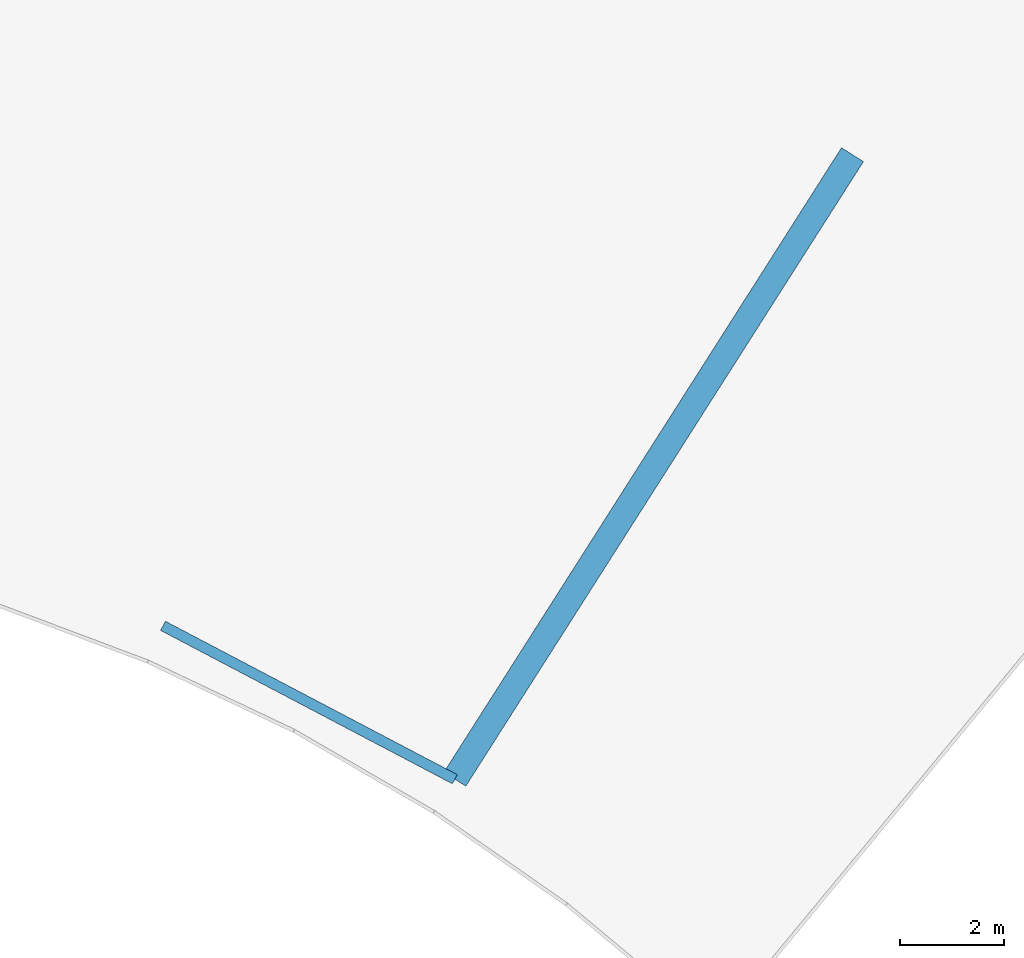
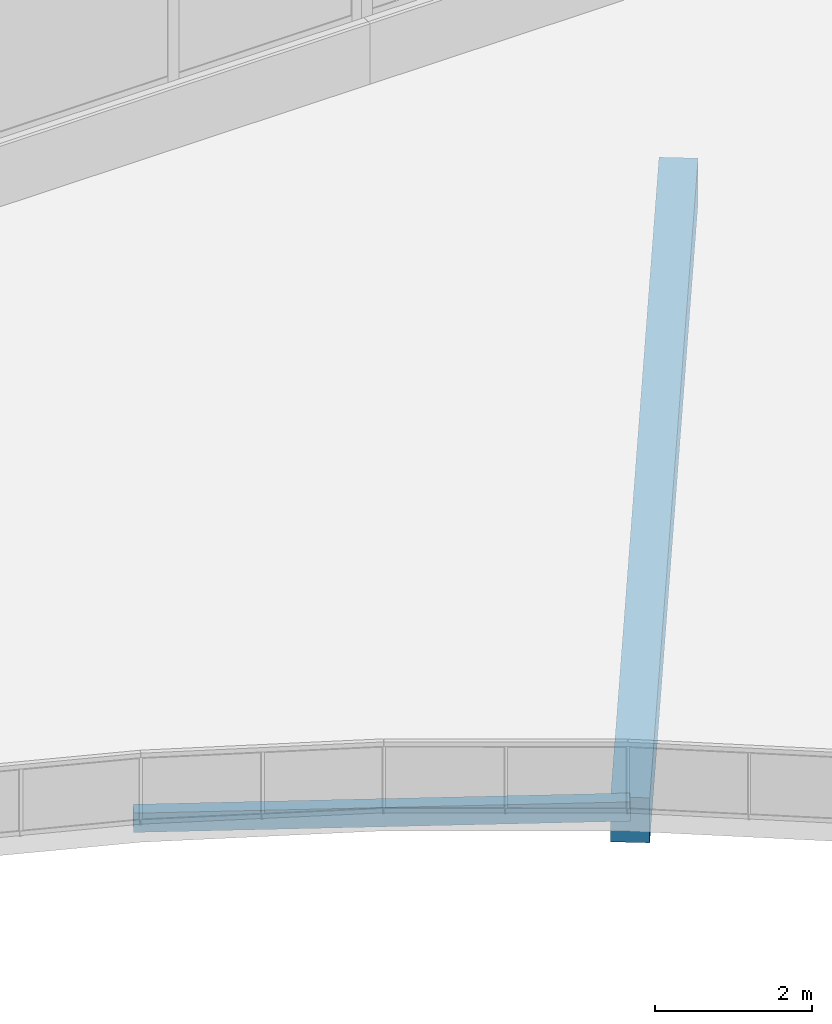
# One storey, part 54 of 101: 2 beams.
"""IFC4 building model written with IfcOpenShell, lengths in metres."""

import ifcopenshell
import ifcopenshell.guid

model = None  # the IFC model being written
_history = None  # IfcOwnerHistory: only IFC2X3 demands one
_inside = {}  # id of a spatial element -> (the spatial element, [elements in it])
_under = {}  # id of a project, library or spatial element -> (it, [spatial elements below it])
_declared = {}  # id of a project -> (the project, [libraries it declares])
_typed = {}  # id of a type object -> (the type object, [elements of that type])
_made_of = {}  # id of a material, layer set ... -> (it, [elements and type objects made of it])


def new_model(schema):
    """Start an empty IFC model of exactly this schema.

    Asked for "IFC4X3", IfcOpenShell would pick the latest addendum, in which some entities
    have other attributes; the version numbers below select the first issue.
    IFC2X3 requires an IfcOwnerHistory on every rooted entity: one is made here for all.
    """
    global model, _history
    if schema == "IFC4X3":
        model = ifcopenshell.file(schema_version=(4, 3, 0, 0))
    else:
        model = ifcopenshell.file(schema=schema)
    _inside.clear()
    _under.clear()
    _declared.clear()
    _typed.clear()
    _made_of.clear()
    _history = None
    if model.schema == "IFC2X3":
        org = make("IfcOrganization", Name="unknown")
        user = make(
            "IfcPersonAndOrganization",
            ThePerson=make("IfcPerson", FamilyName="unknown"),
            TheOrganization=org,
        )
        app = make(
            "IfcApplication",
            ApplicationDeveloper=org,
            Version="unknown",
            ApplicationFullName="unknown",
            ApplicationIdentifier="unknown",
        )
        _history = make(
            "IfcOwnerHistory",
            OwningUser=user,
            OwningApplication=app,
            ChangeAction="ADDED",
            CreationDate=0,
        )
    return model


def make(cls, **values):
    """One entity of the class cls with the attributes given. An attribute that is None is left unset."""
    return model.create_entity(
        cls, **{name: value for name, value in values.items() if value is not None}
    )


def rooted(cls, **values):
    """An entity with a GlobalId (a new one), such as an element, a storey or a relation."""
    return make(cls, GlobalId=ifcopenshell.guid.new(), OwnerHistory=_history, **values)


def si_unit(unit_type, name, prefix=None):
    """IfcSIUnit, for example si_unit("LENGTHUNIT", "METRE", prefix="MILLI")."""
    return make("IfcSIUnit", UnitType=unit_type, Prefix=prefix, Name=name)


def assignment(units):
    """IfcUnitAssignment: the units of a project."""
    return None if units is None else make("IfcUnitAssignment", Units=units)


def point(xyz):
    """IfcCartesianPoint."""
    return None if xyz is None else make("IfcCartesianPoint", Coordinates=xyz)


def direction(xyz):
    """IfcDirection."""
    return None if xyz is None else make("IfcDirection", DirectionRatios=xyz)


def frame(location, z_axis=None, x_axis=None):
    """IfcAxis2Placement3D, a coordinate frame: its origin and axes. An axis left out is left unset."""
    return make(
        "IfcAxis2Placement3D",
        Location=point(location),
        Axis=direction(z_axis),
        RefDirection=direction(x_axis),
    )


def frame_2d(location, x_axis=None):
    """IfcAxis2Placement2D, a coordinate frame in the plane: its origin and x axis."""
    return make(
        "IfcAxis2Placement2D", Location=point(location), RefDirection=direction(x_axis)
    )


def origin():
    """The frame at (0, 0, 0) with its axes left unset."""
    return frame((0.0, 0.0, 0.0))


def origin_2d():
    """The frame at (0, 0) in the plane with its x axis left unset."""
    return frame_2d((0.0, 0.0))


def place(relative_to, where):
    """IfcLocalPlacement: puts the frame where relative to a parent placement (None: the world)."""
    return make(
        "IfcLocalPlacement", PlacementRelTo=relative_to, RelativePlacement=where
    )


def context(
    kind, dimensions, precision=None, world=None, true_north=None, identifier=None
):
    """IfcGeometricRepresentationContext, for example the 3D "Model" context."""
    return make(
        "IfcGeometricRepresentationContext",
        ContextIdentifier=identifier,
        ContextType=kind,
        CoordinateSpaceDimension=dimensions,
        Precision=precision,
        WorldCoordinateSystem=world,
        TrueNorth=true_north,
    )


def subcontext(parent, identifier, kind, view, scale=None):
    """IfcGeometricRepresentationSubContext, for example "Body" below "Model"."""
    return make(
        "IfcGeometricRepresentationSubContext",
        ContextIdentifier=identifier,
        ContextType=kind,
        ParentContext=parent,
        TargetScale=scale,
        TargetView=view,
    )


def project(units=None, contexts=None):
    """IfcProject with its units and contexts."""
    return rooted(
        "IfcProject",
        Name="project",
        RepresentationContexts=contexts,
        UnitsInContext=assignment(units),
    )


def spatial(cls, under=None, at=None, **own):
    """A site, building, storey or space (cls), placed at a placement, below another one or the project."""
    s = rooted(cls, ObjectPlacement=at, **own)
    if under is not None:
        _under.setdefault(under.id(), (under, []))[1].append(s)
    return s


def profile(cls, at=None, kind="AREA", **sizes):
    """A parametric profile (cls). Its sizes go by their IFC names, for example OverallWidth=200.0."""
    return make(cls, ProfileType=kind, Position=at, **sizes)


def rectangle(**sizes):
    """IfcRectangleProfileDef."""
    return profile("IfcRectangleProfileDef", **sizes)


def hollow_rectangle(**sizes):
    """IfcRectangleHollowProfileDef."""
    return profile("IfcRectangleHollowProfileDef", **sizes)


def extrude(swept, where, along, depth):
    """IfcExtrudedAreaSolid: the profile swept, set in the frame where, extruded along a direction by depth."""
    return make(
        "IfcExtrudedAreaSolid",
        SweptArea=swept,
        Position=where,
        ExtrudedDirection=direction(along),
        Depth=depth,
    )


def shape(context_of_items, identifier, shape_type, items):
    """IfcShapeRepresentation: the items that make up one representation, for example the "Body"."""
    return make(
        "IfcShapeRepresentation",
        ContextOfItems=context_of_items,
        RepresentationIdentifier=identifier,
        RepresentationType=shape_type,
        Items=items,
    )


def material(Name=None, Category=None):
    """IfcMaterial."""
    return make("IfcMaterial", Name=Name, Category=Category)


def material_profile(
    of_material, cross_section, Name=None, Category=None, Priority=None
):
    """IfcMaterialProfile: a cross section and its material."""
    return make(
        "IfcMaterialProfile",
        Name=Name,
        Material=of_material,
        Profile=cross_section,
        Priority=Priority,
        Category=Category,
    )


def profile_set(profiles, Name=None, composite=None):
    """IfcMaterialProfileSet."""
    return make(
        "IfcMaterialProfileSet",
        Name=Name,
        MaterialProfiles=profiles,
        CompositeProfile=composite,
    )


def made_of(thing, what):
    """Note that an element or type object is made of a material, layer set ...; save() writes the relation."""
    if what is not None:
        _made_of.setdefault(what.id(), (what, []))[1].append(thing)
    return thing


def type_object(cls, material=None, **own):
    """A type object (cls), such as IfcWallType, which elements share."""
    return made_of(rooted(cls, **own), material)


def element(
    cls,
    number,
    at=None,
    inside=None,
    cuts=None,
    type_object=None,
    material=None,
    context=None,
    identifier="Body",
    shape_type=None,
    held_by="IfcProductDefinitionShape",
    body=None,
    shapes=None,
    **own,
):
    """One element of the class cls, such as IfcWall. Its Tag is "e" and its number.

    at: its placement. inside: the storey or other place that contains it. cuts: it is an
    opening in that element (IfcRelVoidsElement). A single representation is given by context,
    identifier, shape_type and body (its items); several are given by shapes. held_by: the class
    of the entity that holds the representations. save() writes the other relations.
    """
    e = rooted(cls, Tag="e%d" % number, ObjectPlacement=at, **own)
    if body is not None:
        shapes = [shape(context, identifier, shape_type, body)]
    if shapes is not None:
        e.Representation = make(held_by, Representations=shapes)
    if inside is not None:
        _inside.setdefault(inside.id(), (inside, []))[1].append(e)
    if cuts is not None:
        rooted(
            "IfcRelVoidsElement", RelatingBuildingElement=cuts, RelatedOpeningElement=e
        )
    if type_object is not None:
        _typed.setdefault(type_object.id(), (type_object, []))[1].append(e)
    return made_of(e, material)


def aggregate(whole, parts):
    """IfcRelAggregates: a whole, such as a stair, and the parts it consists of."""
    return rooted("IfcRelAggregates", RelatingObject=whole, RelatedObjects=parts)


def save(model, path):
    """Write the relations noted so far, then the file.

    IfcRelAggregates (storeys below a building ...), IfcRelContainedInSpatialStructure (elements
    in a storey), IfcRelDefinesByType, IfcRelAssociatesMaterial and IfcRelDeclares: one each for
    every whole, place, type object, material and project.
    """
    for whole, parts in _under.values():
        aggregate(whole, parts)
    for where, things in _inside.values():
        rooted(
            "IfcRelContainedInSpatialStructure",
            RelatedElements=things,
            RelatingStructure=where,
        )
    for kind, things in _typed.values():
        rooted("IfcRelDefinesByType", RelatedObjects=things, RelatingType=kind)
    for what, things in _made_of.values():
        rooted("IfcRelAssociatesMaterial", RelatedObjects=things, RelatingMaterial=what)
    for by, libraries in _declared.values():
        rooted("IfcRelDeclares", RelatingContext=by, RelatedDefinitions=libraries)
    model.write(path)


model = new_model("IFC4")

# Units and contexts
model_context = context("Model", 3, precision=1e-05, world=origin(), true_north=direction((0.0, 1.0)))
body_context = subcontext(model_context, "Body", "Model", "MODEL_VIEW")
ifc_project = project(units=[si_unit("LENGTHUNIT", "METRE"), si_unit("AREAUNIT", "SQUARE_METRE"), si_unit("VOLUMEUNIT", "CUBIC_METRE"), si_unit("PLANEANGLEUNIT", "RADIAN"), si_unit("MASSUNIT", "GRAM", prefix="KILO")], contexts=[model_context])

# Site, building, storey
site_placement = place(None, origin())
site = spatial("IfcSite", under=ifc_project, at=site_placement, CompositionType="ELEMENT")
building_placement = place(site_placement, origin())
building = spatial("IfcBuilding", under=site, at=building_placement, Name="Selatvlak General Hospital", CompositionType="ELEMENT")
storey_placement = place(building_placement, frame((0.0, 0.0, 19.199951171875)))
storey = spatial("IfcBuildingStorey", under=building, at=storey_placement, Name="L04", CompositionType="ELEMENT", Elevation=19.199951171875)

# Beams
ifc_material_1 = material(Name="Concrete C40/50", Category="concrete")
ifc_material_profile_1 = material_profile(ifc_material_1, rectangle(XDim=0.5, YDim=0.699951171875, at=origin_2d()), Name="RC-BM 500x700")
ifc_profile_set_1 = profile_set([ifc_material_profile_1], Name="Concrete C40/50")
beam_type_1 = type_object("IfcBeamType", Name="BM-G03", PredefinedType="BEAM", material=ifc_profile_set_1)
beam_1_placement = place(storey_placement, frame((168.197998046875, 60.783935546875, -0.639892578125), z_axis=(-0.537073919926, -0.843535182749, 0.0), x_axis=(0.843535182749, -0.537073919926, 0.0)))
element("IfcBeam", 1, at=beam_1_placement, inside=storey, type_object=beam_type_1, Name="Beam BMR-L04-1822", PredefinedType="BEAM", context=body_context, shape_type="SweptSolid", body=[
    extrude(rectangle(XDim=0.5, YDim=0.699951171875, at=origin_2d()), origin(), (0.0, 0.0, 1.0), 14.24951171875),
])
ifc_material_2 = material(Name="Steel S355", Category="steel")
ifc_material_profile_2 = material_profile(ifc_material_2, hollow_rectangle(XDim=0.199951171875, YDim=0.300048828125, WallThickness=0.011962890625, at=origin_2d()), Name="RHS 300x200x12")
ifc_profile_set_2 = profile_set([ifc_material_profile_2], Name="Steel S355")
beam_type_2 = type_object("IfcBeamType", Name="BM-SP3", PredefinedType="SPANDREL", material=ifc_profile_set_2)
beam_2_placement = place(storey_placement, frame((154.927978515625, 51.716064453125, -0.43994140625), z_axis=(0.885186813572, -0.46523575215, 0.0), x_axis=(0.46523575215, 0.885186813572, 0.0)))
element("IfcBeam", 2, at=beam_2_placement, inside=storey, type_object=beam_type_2, Name="Beam BMR-L04-1852", PredefinedType="SPANDREL", context=body_context, shape_type="SweptSolid", body=[
    extrude(hollow_rectangle(XDim=0.199951171875, YDim=0.300048828125, WallThickness=0.011962890625, at=origin_2d()), origin(), (0.0, 0.0, 1.0), 6.345458984375),
])

save(model, "model.ifc")
